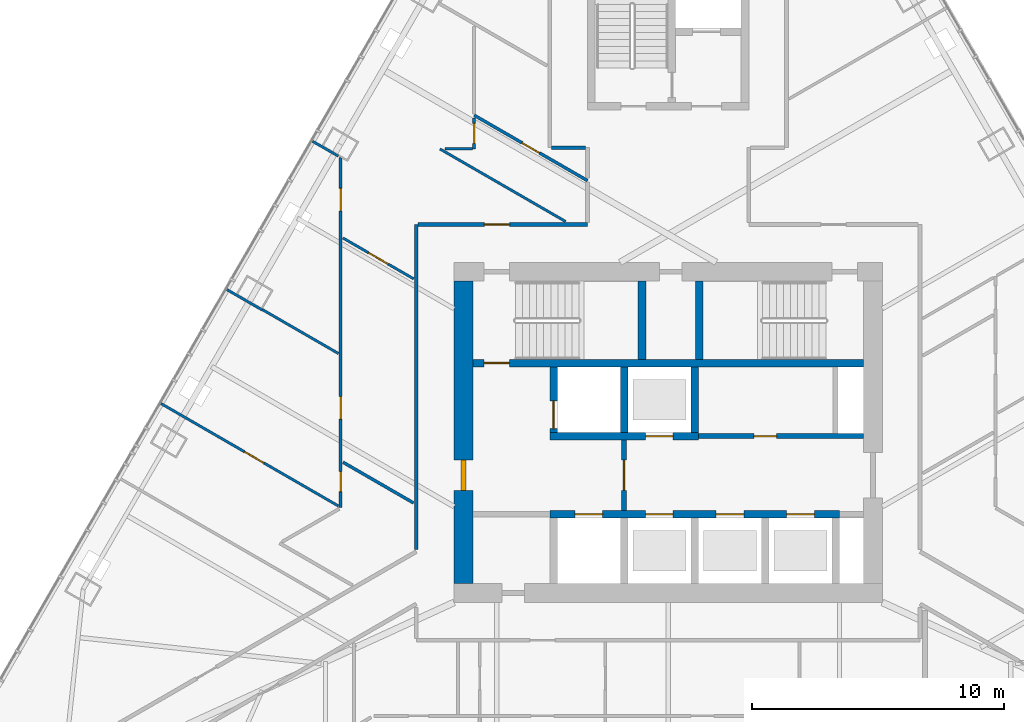
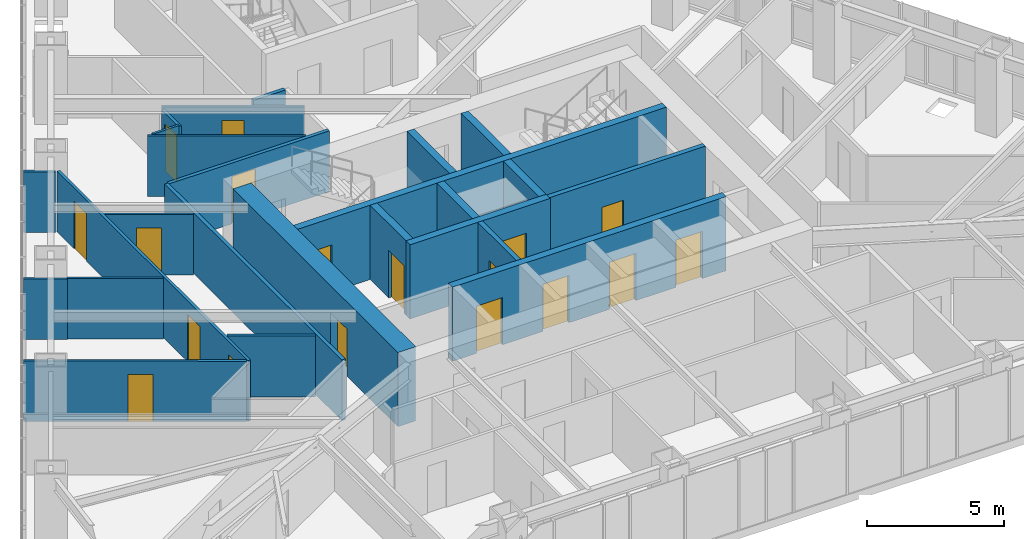
# One storey, part 14 of 19: 25 walls, 18 doors, 18 openings.
"""IFC4 building model written with IfcOpenShell, lengths in metres."""

from ifc_helpers import new_model, si_unit, direction, frame, frame_2d, origin, place, context, subcontext, project, spatial, rectangle, extrude, material, layer, layer_set, type_object, element, fill, save


model = new_model("IFC4")

# Units and contexts
model_context = context("Model", 3, precision=1e-05, world=origin(), true_north=direction((0.0, 1.0)))
body_context = subcontext(model_context, "Body", "Model", "MODEL_VIEW")
ifc_project = project(units=[si_unit("LENGTHUNIT", "METRE"), si_unit("AREAUNIT", "SQUARE_METRE"), si_unit("VOLUMEUNIT", "CUBIC_METRE"), si_unit("PLANEANGLEUNIT", "RADIAN"), si_unit("MASSUNIT", "GRAM", prefix="KILO")], contexts=[model_context])

# Site, building, storey
site_placement = place(None, origin())
site = spatial("IfcSite", under=ifc_project, at=site_placement, CompositionType="ELEMENT")
building_placement = place(site_placement, origin())
building = spatial("IfcBuilding", under=site, at=building_placement, Name="Firuza Gate Tower and Library", CompositionType="ELEMENT")
storey_placement = place(building_placement, frame((0.0, 0.0, 256.60009765625)))
storey = spatial("IfcBuildingStorey", under=building, at=storey_placement, Name="L60", CompositionType="ELEMENT", Elevation=256.60009765625)

# Wall, opening, door
ifc_material_1 = material(Name="Plasterboard on steel studs", Category="steel")
ifc_layer_1 = layer(ifc_material_1, 0.199951171875)
ifc_layer_set_1 = layer_set([ifc_layer_1], Name="Core partition 200 EI 120")
wall_type_1 = type_object("IfcWallType", Name="Core partition 200 EI 120", PredefinedType="PARTITIONING", material=ifc_layer_set_1)
wall_1_placement = place(storey_placement, frame((76.199951171875, 74.85009765625, 0.0), z_axis=(0.0, 0.0, 1.0), x_axis=(1.0, 0.0, 0.0)))
wall_1 = element("IfcWall", 1, at=wall_1_placement, inside=storey, type_object=wall_type_1, Name="Core partition L60 3", PredefinedType="PARTITIONING", context=body_context, shape_type="SweptSolid", body=[
    extrude(rectangle(XDim=6.550048828125, YDim=0.199951171875, at=frame_2d((3.27490234375, 0.0))), origin(), (0.0, 0.0, 1.0), 3.2998046875),
])
opening_1_placement = place(wall_1_placement, frame((2.199951171875, 0.0, 0.0)))
opening_1 = element("IfcOpeningElement", 2, at=opening_1_placement, cuts=wall_1, Name="Opening L60-K18", PredefinedType="OPENING", context=body_context, shape_type="SweptSolid", body=[
    extrude(rectangle(XDim=0.89990234375, YDim=2.10009765625, at=frame_2d((0.449951171875, 1.050048828125))), frame((0.0, 0.10986328125, 0.0), z_axis=(0.0, -1.0, 0.0), x_axis=(1.0, 0.0, 0.0)), (0.0, 0.0, 1.0), 0.219970703125),
])
ifc_material_2 = material(Name="Steel", Category="steel")
door_type_1 = type_object("IfcDoorType", Name="Fire door 900x2100 FD30S", OperationType="NOTDEFINED", PredefinedType="DOOR", material=ifc_material_2)
door_1_placement = place(opening_1_placement, origin())
door_1 = element("IfcDoor", 3, at=door_1_placement, inside=storey, type_object=door_type_1, Name="Door L60-K18", OperationType="SINGLE_SWING_LEFT", OverallHeight=2.10009765625, OverallWidth=0.89990234375, PredefinedType="DOOR", context=body_context, shape_type="SweptSolid", body=[
    extrude(rectangle(XDim=0.89990234375, YDim=2.10009765625, at=frame_2d((0.449951171875, 1.050048828125))), frame((0.0, 0.02490234375, 0.0), z_axis=(0.0, -1.0, 0.0), x_axis=(1.0, 0.0, 0.0)), (0.0, 0.0, 1.0), 0.050048828125),
])
fill(opening_1, door_1)

ifc_material_3 = material(Name="Plasterboard on steel studs", Category="steel")
ifc_layer_2 = layer(ifc_material_3, 0.199951171875)
ifc_layer_set_2 = layer_set([ifc_layer_2], Name="Core partition 200 EI 60")
wall_type_2 = type_object("IfcWallType", Name="Core partition 200 EI 60", PredefinedType="PARTITIONING", material=ifc_layer_set_2)
wall_2_placement = place(storey_placement, frame((73.25, 71.89990234375, 0.0), z_axis=(0.0, 0.0, 1.0), x_axis=(0.0, 1.0, 0.0)))
wall_2 = element("IfcWall", 4, at=wall_2_placement, inside=storey, type_object=wall_type_2, Name="Core partition L60 4", PredefinedType="PARTITIONING", context=body_context, shape_type="SweptSolid", body=[
    extrude(rectangle(XDim=2.800048828125, YDim=0.199951171875, at=frame_2d((1.39990234375, 0.0))), origin(), (0.0, 0.0, 1.0), 3.2998046875),
])
opening_2_placement = place(wall_2_placement, frame((0.800048828125, 0.0, 0.0)))
opening_2 = element("IfcOpeningElement", 5, at=opening_2_placement, cuts=wall_2, Name="Opening L60-K14", PredefinedType="OPENING", context=body_context, shape_type="SweptSolid", body=[
    extrude(rectangle(XDim=1.199951171875, YDim=2.10009765625, at=frame_2d((0.60009765625, 1.050048828125))), frame((0.0, 0.10986328125, 0.0), z_axis=(0.0, -1.0, 0.0), x_axis=(1.0, 0.0, 0.0)), (0.0, 0.0, 1.0), 0.219970703125),
])
ifc_material_4 = material(Name="Steel", Category="steel")
door_type_2 = type_object("IfcDoorType", Name="Fire door 1200x2100 FD90S", OperationType="NOTDEFINED", PredefinedType="DOOR", material=ifc_material_4)
door_2_placement = place(opening_2_placement, origin())
door_2 = element("IfcDoor", 6, at=door_2_placement, inside=storey, type_object=door_type_2, Name="Door L60-K14", OperationType="SINGLE_SWING_LEFT", OverallHeight=2.10009765625, OverallWidth=1.199951171875, PredefinedType="DOOR", context=body_context, shape_type="SweptSolid", body=[
    extrude(rectangle(XDim=1.199951171875, YDim=2.10009765625, at=frame_2d((0.60009765625, 1.050048828125))), frame((0.0, 0.02490234375, 0.0), z_axis=(0.0, -1.0, 0.0), x_axis=(1.0, 0.0, 0.0)), (0.0, 0.0, 1.0), 0.050048828125),
])
fill(opening_2, door_2)

# Wall, openings, doors
ifc_material_5 = material(Name="Concrete C60/75", Category="concrete")
ifc_layer_3 = layer(ifc_material_5, 0.300048828125)
ifc_layer_set_3 = layer_set([ifc_layer_3], Name="Core wall 300 C60/75")
wall_type_3 = type_object("IfcWallType", Name="Core wall 300 C60/75", PredefinedType="SHEAR", material=ifc_layer_set_3)
wall_3_placement = place(storey_placement, frame((70.300048828125, 71.75, 0.0), z_axis=(0.0, 0.0, 1.0), x_axis=(1.0, 0.0, 0.0)))
wall_3 = element("IfcWall", 7, at=wall_3_placement, inside=storey, type_object=wall_type_3, Name="Core wall L60 5", PredefinedType="SHEAR", context=body_context, shape_type="SweptSolid", body=[
    extrude(rectangle(XDim=11.5, YDim=0.300048828125, at=frame_2d((5.75, 0.0))), origin(), (0.0, 0.0, 1.0), 3.2998046875),
])
opening_3_placement = place(wall_3_placement, frame((1.0, 0.0, 0.0)))
opening_3 = element("IfcOpeningElement", 8, at=opening_3_placement, cuts=wall_3, Name="Opening LD-FF1-L60", PredefinedType="OPENING", context=body_context, shape_type="SweptSolid", body=[
    extrude(rectangle(XDim=1.10009765625, YDim=2.10009765625, at=frame_2d((0.550048828125, 1.050048828125))), frame((0.0, 0.16015625, 0.0), z_axis=(0.0, -1.0, 0.0), x_axis=(1.0, 0.0, 0.0)), (0.0, 0.0, 1.0), 0.320068359375),
])
opening_4_placement = place(wall_3_placement, frame((3.800048828125, 0.0, 0.0)))
opening_4 = element("IfcOpeningElement", 9, at=opening_4_placement, cuts=wall_3, Name="Opening LD-HR1-L60", PredefinedType="OPENING", context=body_context, shape_type="SweptSolid", body=[
    extrude(rectangle(XDim=1.10009765625, YDim=2.10009765625, at=frame_2d((0.550048828125, 1.050048828125))), frame((0.0, 0.16015625, 0.0), z_axis=(0.0, -1.0, 0.0), x_axis=(1.0, 0.0, 0.0)), (0.0, 0.0, 1.0), 0.320068359375),
])
opening_5_placement = place(wall_3_placement, frame((6.60009765625, 0.0, 0.0)))
opening_5 = element("IfcOpeningElement", 10, at=opening_5_placement, cuts=wall_3, Name="Opening LD-HR2-L60", PredefinedType="OPENING", context=body_context, shape_type="SweptSolid", body=[
    extrude(rectangle(XDim=1.10009765625, YDim=2.10009765625, at=frame_2d((0.550048828125, 1.050048828125))), frame((0.0, 0.16015625, 0.0), z_axis=(0.0, -1.0, 0.0), x_axis=(1.0, 0.0, 0.0)), (0.0, 0.0, 1.0), 0.320068359375),
])
opening_6_placement = place(wall_3_placement, frame((9.39990234375, 0.0, 0.0)))
opening_6 = element("IfcOpeningElement", 11, at=opening_6_placement, cuts=wall_3, Name="Opening LD-HR3-L60", PredefinedType="OPENING", context=body_context, shape_type="SweptSolid", body=[
    extrude(rectangle(XDim=1.10009765625, YDim=2.10009765625, at=frame_2d((0.550048828125, 1.050048828125))), frame((0.0, 0.16015625, 0.0), z_axis=(0.0, -1.0, 0.0), x_axis=(1.0, 0.0, 0.0)), (0.0, 0.0, 1.0), 0.320068359375),
])
ifc_material_6 = material(Name="Stainless steel", Category="steel")
door_type_3 = type_object("IfcDoorType", Name="Lift landing door 1100x2100", OperationType="DOUBLE_DOOR_SLIDING", PredefinedType="DOOR", material=ifc_material_6)
door_3_placement = place(opening_3_placement, origin())
door_3 = element("IfcDoor", 12, at=door_3_placement, inside=storey, type_object=door_type_3, Name="Landing door FF1 L60", OperationType="DOUBLE_DOOR_SLIDING", OverallHeight=2.10009765625, OverallWidth=1.10009765625, PredefinedType="DOOR", context=body_context, shape_type="SweptSolid", body=[
    extrude(rectangle(XDim=1.10009765625, YDim=2.10009765625, at=frame_2d((0.550048828125, 1.050048828125))), frame((0.0, 0.02490234375, 0.0), z_axis=(0.0, -1.0, 0.0), x_axis=(1.0, 0.0, 0.0)), (0.0, 0.0, 1.0), 0.050048828125),
])
fill(opening_3, door_3)
door_4_placement = place(opening_4_placement, origin())
door_4 = element("IfcDoor", 13, at=door_4_placement, inside=storey, type_object=door_type_3, Name="Landing door HR1 L60", OperationType="DOUBLE_DOOR_SLIDING", OverallHeight=2.10009765625, OverallWidth=1.10009765625, PredefinedType="DOOR", context=body_context, shape_type="SweptSolid", body=[
    extrude(rectangle(XDim=1.10009765625, YDim=2.10009765625, at=frame_2d((0.550048828125, 1.050048828125))), frame((0.0, 0.02490234375, 0.0), z_axis=(0.0, -1.0, 0.0), x_axis=(1.0, 0.0, 0.0)), (0.0, 0.0, 1.0), 0.050048828125),
])
fill(opening_4, door_4)
door_5_placement = place(opening_5_placement, origin())
door_5 = element("IfcDoor", 14, at=door_5_placement, inside=storey, type_object=door_type_3, Name="Landing door HR2 L60", OperationType="DOUBLE_DOOR_SLIDING", OverallHeight=2.10009765625, OverallWidth=1.10009765625, PredefinedType="DOOR", context=body_context, shape_type="SweptSolid", body=[
    extrude(rectangle(XDim=1.10009765625, YDim=2.10009765625, at=frame_2d((0.550048828125, 1.050048828125))), frame((0.0, 0.02490234375, 0.0), z_axis=(0.0, -1.0, 0.0), x_axis=(1.0, 0.0, 0.0)), (0.0, 0.0, 1.0), 0.050048828125),
])
fill(opening_5, door_5)
door_6_placement = place(opening_6_placement, origin())
door_6 = element("IfcDoor", 15, at=door_6_placement, inside=storey, type_object=door_type_3, Name="Landing door HR3 L60", OperationType="DOUBLE_DOOR_SLIDING", OverallHeight=2.10009765625, OverallWidth=1.10009765625, PredefinedType="DOOR", context=body_context, shape_type="SweptSolid", body=[
    extrude(rectangle(XDim=1.10009765625, YDim=2.10009765625, at=frame_2d((0.550048828125, 1.050048828125))), frame((0.0, 0.02490234375, 0.0), z_axis=(0.0, -1.0, 0.0), x_axis=(1.0, 0.0, 0.0)), (0.0, 0.0, 1.0), 0.050048828125),
])
fill(opening_6, door_6)

# Wall, opening, door
wall_4_placement = place(storey_placement, frame((70.300048828125, 74.85009765625, 0.0), z_axis=(0.0, 0.0, 1.0), x_axis=(1.0, 0.0, 0.0)))
wall_4 = element("IfcWall", 16, at=wall_4_placement, inside=storey, type_object=wall_type_3, Name="Core wall L60 6", PredefinedType="SHEAR", context=body_context, shape_type="SweptSolid", body=[
    extrude(rectangle(XDim=5.89990234375, YDim=0.300048828125, at=frame_2d((2.949951171875, 0.0))), origin(), (0.0, 0.0, 1.0), 3.2998046875),
])
opening_7_placement = place(wall_4_placement, frame((3.800048828125, 0.0, 0.0)))
opening_7 = element("IfcOpeningElement", 17, at=opening_7_placement, cuts=wall_4, Name="Opening LD-HR4-L60", PredefinedType="OPENING", context=body_context, shape_type="SweptSolid", body=[
    extrude(rectangle(XDim=1.10009765625, YDim=2.10009765625, at=frame_2d((0.550048828125, 1.050048828125))), frame((0.0, 0.16015625, 0.0), z_axis=(0.0, -1.0, 0.0), x_axis=(1.0, 0.0, 0.0)), (0.0, 0.0, 1.0), 0.320068359375),
])
door_7_placement = place(opening_7_placement, origin())
door_7 = element("IfcDoor", 18, at=door_7_placement, inside=storey, type_object=door_type_3, Name="Landing door HR4 L60", OperationType="DOUBLE_DOOR_SLIDING", OverallHeight=2.10009765625, OverallWidth=1.10009765625, PredefinedType="DOOR", context=body_context, shape_type="SweptSolid", body=[
    extrude(rectangle(XDim=1.10009765625, YDim=2.10009765625, at=frame_2d((0.550048828125, 1.050048828125))), frame((0.0, 0.02490234375, 0.0), z_axis=(0.0, -1.0, 0.0), x_axis=(1.0, 0.0, 0.0)), (0.0, 0.0, 1.0), 0.050048828125),
])
fill(opening_7, door_7)

wall_5_placement = place(storey_placement, frame((70.449951171875, 75.0, 0.0), z_axis=(0.0, 0.0, 1.0), x_axis=(0.0, 1.0, 0.0)))
wall_5 = element("IfcWall", 19, at=wall_5_placement, inside=storey, type_object=wall_type_3, Name="Core wall L60 8", PredefinedType="SHEAR", context=body_context, shape_type="SweptSolid", body=[
    extrude(rectangle(XDim=2.60009765625, YDim=0.300048828125, at=frame_2d((1.300048828125, 0.0))), origin(), (0.0, 0.0, 1.0), 3.2998046875),
])
opening_8_placement = place(wall_5_placement, frame((0.14990234375, 0.0, 0.0)))
opening_8 = element("IfcOpeningElement", 20, at=opening_8_placement, cuts=wall_5, Name="Opening LD-FF2-L60", PredefinedType="OPENING", context=body_context, shape_type="SweptSolid", body=[
    extrude(rectangle(XDim=1.10009765625, YDim=2.10009765625, at=frame_2d((0.550048828125, 1.050048828125))), frame((0.0, 0.16015625, 0.0), z_axis=(0.0, -1.0, 0.0), x_axis=(1.0, 0.0, 0.0)), (0.0, 0.0, 1.0), 0.320068359375),
])
door_8_placement = place(opening_8_placement, origin())
door_8 = element("IfcDoor", 21, at=door_8_placement, inside=storey, type_object=door_type_3, Name="Landing door FF2 L60", OperationType="DOUBLE_DOOR_SLIDING", OverallHeight=2.10009765625, OverallWidth=1.10009765625, PredefinedType="DOOR", context=body_context, shape_type="SweptSolid", body=[
    extrude(rectangle(XDim=1.10009765625, YDim=2.10009765625, at=frame_2d((0.550048828125, 1.050048828125))), frame((0.0, 0.02490234375, 0.0), z_axis=(0.0, -1.0, 0.0), x_axis=(1.0, 0.0, 0.0)), (0.0, 0.0, 1.0), 0.050048828125),
])
fill(opening_8, door_8)

# Walls
for number, where, z_axis, x_axis, name in (
    (22, (73.25, 75.0, 0.0), (0.0, 0.0, 1.0), (0.0, 1.0, 0.0), "Core wall L60 10"),
    (23, (76.050048828125, 75.0, 0.0), (0.0, 0.0, 1.0), (0.0, 1.0, 0.0), "Core wall L60 12"),
):
    element("IfcWall", number, at=place(storey_placement, frame(where, z_axis=z_axis, x_axis=x_axis)), inside=storey, type_object=wall_type_3, Name=name, PredefinedType="SHEAR", context=body_context, shape_type="SweptSolid", body=[
        extrude(rectangle(XDim=2.60009765625, YDim=0.300048828125, at=frame_2d((1.300048828125, 0.0))), origin(), (0.0, 0.0, 1.0), 3.2998046875),
    ])

# Wall, opening, door
wall_6_placement = place(storey_placement, frame((67.25, 77.75, 0.0), z_axis=(0.0, 0.0, 1.0), x_axis=(1.0, 0.0, 0.0)))
wall_6 = element("IfcWall", 24, at=wall_6_placement, inside=storey, type_object=wall_type_3, Name="Core wall L60 15", PredefinedType="SHEAR", context=body_context, shape_type="SweptSolid", body=[
    extrude(rectangle(XDim=15.5, YDim=0.300048828125, at=frame_2d((7.75, 0.0))), origin(), (0.0, 0.0, 1.0), 3.2998046875),
])
opening_9_placement = place(wall_6_placement, frame((0.445068359375, 0.0, 0.0)))
opening_9 = element("IfcOpeningElement", 25, at=opening_9_placement, cuts=wall_6, Name="Opening L60-K08", PredefinedType="OPENING", context=body_context, shape_type="SweptSolid", body=[
    extrude(rectangle(XDim=1.0, YDim=2.10009765625, at=frame_2d((0.5, 1.050048828125))), frame((0.0, 0.16015625, 0.0), z_axis=(0.0, -1.0, 0.0), x_axis=(1.0, 0.0, 0.0)), (0.0, 0.0, 1.0), 0.320068359375),
])
ifc_material_7 = material(Name="Steel", Category="steel")
door_type_4 = type_object("IfcDoorType", Name="Fire door 1000x2100 FD90", OperationType="NOTDEFINED", PredefinedType="DOOR", material=ifc_material_7)
door_9_placement = place(opening_9_placement, origin())
door_9 = element("IfcDoor", 26, at=door_9_placement, inside=storey, type_object=door_type_4, Name="Door L60-K08", OperationType="SINGLE_SWING_LEFT", OverallHeight=2.10009765625, OverallWidth=1.0, PredefinedType="DOOR", context=body_context, shape_type="SweptSolid", body=[
    extrude(rectangle(XDim=1.0, YDim=2.10009765625, at=frame_2d((0.5, 1.050048828125))), frame((0.0, 0.02490234375, 0.0), z_axis=(0.0, -1.0, 0.0), x_axis=(1.0, 0.0, 0.0)), (0.0, 0.0, 1.0), 0.050048828125),
])
fill(opening_9, door_9)

# Walls
for number, where, z_axis, x_axis, name in (
    (27, (73.9599609375, 77.89990234375, 0.0), (0.0, 0.0, 1.0), (0.0, 1.0, 0.0), "Core wall L60 16"),
    (28, (76.239990234375, 77.89990234375, 0.0), (0.0, 0.0, 1.0), (0.0, 1.0, 0.0), "Core wall L60 17"),
):
    element("IfcWall", number, at=place(storey_placement, frame(where, z_axis=z_axis, x_axis=x_axis)), inside=storey, type_object=wall_type_3, Name=name, PredefinedType="SHEAR", context=body_context, shape_type="SweptSolid", body=[
        extrude(rectangle(XDim=3.10009765625, YDim=0.300048828125, at=frame_2d((1.550048828125, 0.0))), origin(), (0.0, 0.0, 1.0), 3.2998046875),
    ])

# Wall, opening, door
ifc_material_8 = material(Name="Concrete C60/75", Category="concrete")
ifc_layer_4 = layer(ifc_material_8, 0.75)
ifc_layer_set_4 = layer_set([ifc_layer_4], Name="Core wall 750 C60/75")
wall_type_4 = type_object("IfcWallType", Name="Core wall 750 C60/75", PredefinedType="SHEAR", material=ifc_layer_set_4)
wall_7_placement = place(storey_placement, frame((66.875, 69.0, 0.0), z_axis=(0.0, 0.0, 1.0), x_axis=(0.0, 1.0, 0.0)))
wall_7 = element("IfcWall", 29, at=wall_7_placement, inside=storey, type_object=wall_type_4, Name="Core wall L60 3", PredefinedType="SHEAR", context=body_context, shape_type="SweptSolid", body=[
    extrude(rectangle(XDim=12.0, YDim=0.75, at=frame_2d((6.0, 0.0))), origin(), (0.0, 0.0, 1.0), 3.2998046875),
])
opening_10_placement = place(wall_7_placement, frame((3.699951171875, 0.0, 0.0)))
opening_10 = element("IfcOpeningElement", 30, at=opening_10_placement, cuts=wall_7, Name="Opening L60-K15", PredefinedType="OPENING", context=body_context, shape_type="SweptSolid", body=[
    extrude(rectangle(XDim=1.199951171875, YDim=2.10009765625, at=frame_2d((0.60009765625, 1.050048828125))), frame((0.0, 0.385009765625, 0.0), z_axis=(0.0, -1.0, 0.0), x_axis=(1.0, 0.0, 0.0)), (0.0, 0.0, 1.0), 0.77001953125),
])
door_10_placement = place(opening_10_placement, origin())
door_10 = element("IfcDoor", 31, at=door_10_placement, inside=storey, type_object=door_type_2, Name="Door L60-K15", OperationType="SINGLE_SWING_RIGHT", OverallHeight=2.10009765625, OverallWidth=1.199951171875, PredefinedType="DOOR", context=body_context, shape_type="SweptSolid", body=[
    extrude(rectangle(XDim=1.199951171875, YDim=2.10009765625, at=frame_2d((0.60009765625, 1.050048828125))), frame((0.0, 0.094970703125, 0.0), z_axis=(0.0, -1.0, 0.0), x_axis=(1.0, 0.0, 0.0)), (0.0, 0.0, 1.0), 0.18994140625),
])
fill(opening_10, door_10)

ifc_material_9 = material(Name="Gypsum board partition")
ifc_layer_5 = layer(ifc_material_9, 0.14990234375)
ifc_layer_set_5 = layer_set([ifc_layer_5], Name="Corridor wall 150 double board on steel studs")
wall_type_5 = type_object("IfcWallType", Name="Corridor wall 150 double board on steel studs", PredefinedType="PARTITIONING", material=ifc_layer_set_5)
wall_8_placement = place(storey_placement, frame((65.075439453125, 83.25, 0.0), z_axis=(0.0, 0.0, 1.0), x_axis=(1.0, 0.0, 0.0)))
wall_8 = element("IfcWall", 32, at=wall_8_placement, inside=storey, type_object=wall_type_5, Name="f:L60:w004", PredefinedType="PARTITIONING", context=body_context, shape_type="SweptSolid", body=[
    extrude(rectangle(XDim=6.724609375, YDim=0.14990234375, at=frame_2d((3.3623046875, 0.0))), origin(), (0.0, 0.0, 1.0), 2.699951171875),
])
opening_11_placement = place(wall_8_placement, frame((2.63232421875, 0.0, 0.0)))
opening_11 = element("IfcOpeningElement", 33, at=opening_11_placement, cuts=wall_8, Name="Opening L60-07", PredefinedType="OPENING", context=body_context, shape_type="SweptSolid", body=[
    extrude(rectangle(XDim=1.0, YDim=2.10009765625, at=frame_2d((0.5, 1.050048828125))), frame((0.0, 0.0849609375, 0.0), z_axis=(0.0, -1.0, 0.0), x_axis=(1.0, 0.0, 0.0)), (0.0, 0.0, 1.0), 0.169921875),
])
ifc_material_10 = material(Name="Steel door and timber leaf", Category="steel")
door_type_5 = type_object("IfcDoorType", Name="Fire door 1000 x 2100 steel frame, timber leaf", OperationType="NOTDEFINED", PredefinedType="DOOR", material=ifc_material_10)
door_11_placement = place(opening_11_placement, origin())
door_11 = element("IfcDoor", 34, at=door_11_placement, inside=storey, type_object=door_type_5, Name="f:L60:d007", OperationType="SINGLE_SWING_LEFT", OverallHeight=2.10009765625, OverallWidth=1.0, PredefinedType="DOOR", context=body_context, shape_type="SweptSolid", body=[
    extrude(rectangle(XDim=1.0, YDim=2.10009765625, at=frame_2d((0.5, 1.050048828125))), frame((0.0, 0.02490234375, 0.0), z_axis=(0.0, -1.0, 0.0), x_axis=(1.0, 0.0, 0.0)), (0.0, 0.0, 1.0), 0.050048828125),
])
fill(opening_11, door_11)

# Walls
wall_9_placement = place(storey_placement, frame((70.375, 86.300048828125, 0.0), z_axis=(0.0, 0.0, 1.0), x_axis=(1.0, 0.0, 0.0)))
element("IfcWall", 35, at=wall_9_placement, inside=storey, type_object=wall_type_5, Name="f:L60:w007", PredefinedType="PARTITIONING", context=body_context, shape_type="SweptSolid", body=[
    extrude(rectangle(XDim=1.35009765625, YDim=0.14990234375, at=frame_2d((0.675048828125, 0.0))), origin(), (0.0, 0.0, 1.0), 2.699951171875),
])
wall_10_placement = place(storey_placement, frame((65.0, 70.352294921875, 0.0), z_axis=(0.0, 0.0, 1.0), x_axis=(0.0, 1.0, 0.0)))
element("IfcWall", 36, at=wall_10_placement, inside=storey, type_object=wall_type_5, Name="f:L60:w057", PredefinedType="PARTITIONING", context=body_context, shape_type="SweptSolid", body=[
    extrude(rectangle(XDim=12.897216796875, YDim=0.14990234375, at=frame_2d((6.44873046875, 0.0))), origin(), (0.0, 0.0, 1.0), 2.699951171875),
])
ifc_material_11 = material(Name="Gypsum board partition")
ifc_layer_6 = layer(ifc_material_11, 0.10009765625)
ifc_layer_set_6 = layer_set([ifc_layer_6], Name="Partition 100 gypsum board on steel studs")
wall_type_6 = type_object("IfcWallType", Name="Partition 100 gypsum board on steel studs", PredefinedType="PARTITIONING", material=ifc_layer_set_6)
wall_11_placement = place(storey_placement, frame((66.133056640625, 86.25, 0.0), z_axis=(0.0, 0.0, 1.0), x_axis=(1.0, 0.0, 0.0)))
element("IfcWall", 37, at=wall_11_placement, inside=storey, type_object=wall_type_6, Name="f:L60:w006", PredefinedType="PARTITIONING", context=body_context, shape_type="SweptSolid", body=[
    extrude(rectangle(XDim=1.1064453125, YDim=0.10009765625, at=frame_2d((0.55322265625, 0.0))), origin(), (0.0, 0.0, 1.0), 2.699951171875),
])
wall_12_placement = place(storey_placement, frame((70.92919921875, 83.369873046875, 0.0), z_axis=(0.0, 0.0, 1.0), x_axis=(-0.866032366698, 0.499987939687, 0.0)))
element("IfcWall", 38, at=wall_12_placement, inside=storey, type_object=wall_type_6, Name="f:L60:w067", PredefinedType="PARTITIONING", context=body_context, shape_type="SweptSolid", body=[
    extrude(rectangle(XDim=5.758056640625, YDim=0.10009765625, at=frame_2d((2.87890625, 0.0))), origin(), (0.0, 0.0, 1.0), 2.699951171875),
])
wall_13_placement = place(storey_placement, frame((61.901123046875, 85.96923828125, 0.0), z_axis=(0.0, 0.0, 1.0), x_axis=(-0.866102146699, 0.499867053809, 0.0)))
element("IfcWall", 39, at=wall_13_placement, inside=storey, type_object=wall_type_6, Name="f:L60:w069", PredefinedType="PARTITIONING", context=body_context, shape_type="SweptSolid", body=[
    extrude(rectangle(XDim=1.169189453125, YDim=0.10009765625, at=frame_2d((0.58447265625, 0.0))), origin(), (0.0, 0.0, 1.0), 2.68798828125),
])

# Wall, opening, door
wall_14_placement = place(storey_placement, frame((64.899169921875, 81.093994140625, 0.0), z_axis=(0.0, 0.0, 1.0), x_axis=(-0.866032882975, 0.499987045439, 0.0)))
wall_14 = element("IfcWall", 40, at=wall_14_placement, inside=storey, type_object=wall_type_6, Name="f:L60:w072", PredefinedType="PARTITIONING", context=body_context, shape_type="SweptSolid", body=[
    extrude(rectangle(XDim=3.248046875, YDim=0.10009765625, at=frame_2d((1.6240234375, 0.0))), origin(), (0.0, 0.0, 1.0), 2.699951171875),
])
opening_12_placement = place(wall_14_placement, frame((1.174072265625, 0.0, 0.0)))
opening_12 = element("IfcOpeningElement", 41, at=opening_12_placement, cuts=wall_14, Name="Opening L60-33", PredefinedType="OPENING", context=body_context, shape_type="SweptSolid", body=[
    extrude(rectangle(XDim=0.89990234375, YDim=2.10009765625, at=frame_2d((0.449951171875, 1.050048828125))), frame((0.0, 0.06005859375, 0.0), z_axis=(0.0, -1.0, 0.0), x_axis=(1.0, 0.0, 0.0)), (0.0, 0.0, 1.0), 0.1201171875),
])
ifc_material_12 = material(Name="Timber door", Category="wood")
door_type_6 = type_object("IfcDoorType", Name="Door 900 x 2100 timber leaf", OperationType="NOTDEFINED", PredefinedType="DOOR", material=ifc_material_12)
door_12_placement = place(opening_12_placement, origin())
door_12 = element("IfcDoor", 42, at=door_12_placement, inside=storey, type_object=door_type_6, Name="f:L60:d033", OperationType="SINGLE_SWING_RIGHT", OverallHeight=2.10009765625, OverallWidth=0.89990234375, PredefinedType="DOOR", context=body_context, shape_type="SweptSolid", body=[
    extrude(rectangle(XDim=0.89990234375, YDim=2.10009765625, at=frame_2d((0.449951171875, 1.050048828125))), frame((0.0, 0.02490234375, 0.0), z_axis=(0.0, -1.0, 0.0), x_axis=(1.0, 0.0, 0.0)), (0.0, 0.0, 1.0), 0.050048828125),
])
fill(opening_12, door_12)

# Walls
wall_15_placement = place(storey_placement, frame((61.914306640625, 78.129150390625, 0.0), z_axis=(0.0, 0.0, 1.0), x_axis=(-0.866011380966, 0.500024287448, 0.0)))
element("IfcWall", 43, at=wall_15_placement, inside=storey, type_object=wall_type_6, Name="f:L60:w076", PredefinedType="PARTITIONING", context=body_context, shape_type="SweptSolid", body=[
    extrude(rectangle(XDim=3.500732421875, YDim=0.10009765625, at=frame_2d((1.75048828125, 0.0))), origin(), (0.0, 0.0, 1.0), 2.699951171875),
])
wall_16_placement = place(storey_placement, frame((58.8740234375, 79.86474609375, 0.0), z_axis=(0.0, 0.0, 1.0), x_axis=(-0.865989903783, 0.500061482766, 0.0)))
element("IfcWall", 44, at=wall_16_placement, inside=storey, type_object=wall_type_6, Name="f:L60:w077", PredefinedType="PARTITIONING", context=body_context, shape_type="SweptSolid", body=[
    extrude(rectangle(XDim=1.599853515625, YDim=0.10009765625, at=frame_2d((0.7998046875, 0.0))), origin(), (0.0, 0.0, 1.0), 2.68798828125),
])

# Wall, opening, door
wall_17_placement = place(storey_placement, frame((61.9140625, 72.076416015625, 0.0), z_axis=(0.0, 0.0, 1.0), x_axis=(-0.866023498866, 0.500003299401, 0.0)))
wall_17 = element("IfcWall", 45, at=wall_17_placement, inside=storey, type_object=wall_type_6, Name="f:L60:w080", PredefinedType="PARTITIONING", context=body_context, shape_type="SweptSolid", body=[
    extrude(rectangle(XDim=8.126953125, YDim=0.10009765625, at=frame_2d((4.0634765625, 0.0))), origin(), (0.0, 0.0, 1.0), 2.68798828125),
])
opening_13_placement = place(wall_17_placement, frame((3.413330078125, 0.0, 0.0)))
opening_13 = element("IfcOpeningElement", 46, at=opening_13_placement, cuts=wall_17, Name="Opening L60-36", PredefinedType="OPENING", context=body_context, shape_type="SweptSolid", body=[
    extrude(rectangle(XDim=0.89990234375, YDim=2.10009765625, at=frame_2d((0.449951171875, 1.050048828125))), frame((0.0, 0.06005859375, 0.0), z_axis=(0.0, -1.0, 0.0), x_axis=(1.0, 0.0, 0.0)), (0.0, 0.0, 1.0), 0.1201171875),
])
door_13_placement = place(opening_13_placement, origin())
door_13 = element("IfcDoor", 47, at=door_13_placement, inside=storey, type_object=door_type_6, Name="f:L60:d036", OperationType="SINGLE_SWING_RIGHT", OverallHeight=2.10009765625, OverallWidth=0.89990234375, PredefinedType="DOOR", context=body_context, shape_type="SweptSolid", body=[
    extrude(rectangle(XDim=0.89990234375, YDim=2.10009765625, at=frame_2d((0.449951171875, 1.050048828125))), frame((0.0, 0.02490234375, 0.0), z_axis=(0.0, -1.0, 0.0), x_axis=(1.0, 0.0, 0.0)), (0.0, 0.0, 1.0), 0.050048828125),
])
fill(opening_13, door_13)

ifc_material_13 = material(Name="Gypsum board partition")
ifc_layer_7 = layer(ifc_material_13, 0.1201171875)
ifc_layer_set_7 = layer_set([ifc_layer_7], Name="Wet-area partition 120 moisture-resistant board")
wall_type_7 = type_object("IfcWallType", Name="Wet-area partition 120 moisture-resistant board", PredefinedType="PARTITIONING", material=ifc_layer_set_7)
wall_18_placement = place(storey_placement, frame((67.300048828125, 87.484619140625, 0.0), z_axis=(0.0, 0.0, 1.0), x_axis=(0.0, -1.0, 0.0)))
wall_18 = element("IfcWall", 48, at=wall_18_placement, inside=storey, type_object=wall_type_7, Name="f:L60:w054", PredefinedType="PARTITIONING", context=body_context, shape_type="SweptSolid", body=[
    extrude(rectangle(XDim=1.234130859375, YDim=0.1201171875, at=frame_2d((0.6171875, 0.0))), origin(), (0.0, 0.0, 1.0), 2.621826171875),
])
opening_14_placement = place(wall_18_placement, frame((0.217041015625, 0.0, 0.0)))
opening_14 = element("IfcOpeningElement", 49, at=opening_14_placement, cuts=wall_18, Name="Opening L60-25", PredefinedType="OPENING", context=body_context, shape_type="SweptSolid", body=[
    extrude(rectangle(XDim=0.800048828125, YDim=2.10009765625, at=frame_2d((0.39990234375, 1.050048828125))), frame((0.0, 0.070068359375, 0.0), z_axis=(0.0, -1.0, 0.0), x_axis=(1.0, 0.0, 0.0)), (0.0, 0.0, 1.0), 0.14013671875),
])
ifc_material_14 = material(Name="Timber door", Category="wood")
door_type_7 = type_object("IfcDoorType", Name="Door 800 x 2100 timber leaf", OperationType="NOTDEFINED", PredefinedType="DOOR", material=ifc_material_14)
door_14_placement = place(opening_14_placement, origin())
door_14 = element("IfcDoor", 50, at=door_14_placement, inside=storey, type_object=door_type_7, Name="f:L60:d025", OperationType="SINGLE_SWING_LEFT", OverallHeight=2.10009765625, OverallWidth=0.800048828125, PredefinedType="DOOR", context=body_context, shape_type="SweptSolid", body=[
    extrude(rectangle(XDim=0.800048828125, YDim=2.10009765625, at=frame_2d((0.39990234375, 1.050048828125))), frame((0.0, 0.02490234375, 0.0), z_axis=(0.0, -1.0, 0.0), x_axis=(1.0, 0.0, 0.0)), (0.0, 0.0, 1.0), 0.050048828125),
])
fill(opening_14, door_14)

# Wall, openings, doors
wall_19_placement = place(storey_placement, frame((62.0, 85.91162109375, 0.0), z_axis=(0.0, 0.0, 1.0), x_axis=(0.0, -1.0, 0.0)))
wall_19 = element("IfcWall", 51, at=wall_19_placement, inside=storey, type_object=wall_type_7, Name="f:L60:w059", PredefinedType="PARTITIONING", context=body_context, shape_type="SweptSolid", body=[
    extrude(rectangle(XDim=13.887939453125, YDim=0.1201171875, at=frame_2d((6.94384765625, 0.0))), origin(), (0.0, 0.0, 1.0), 2.699951171875),
])
opening_15_placement = place(wall_19_placement, frame((1.223876953125, 0.0, 0.0)))
opening_15 = element("IfcOpeningElement", 52, at=opening_15_placement, cuts=wall_19, Name="Opening L60-26", PredefinedType="OPENING", context=body_context, shape_type="SweptSolid", body=[
    extrude(rectangle(XDim=0.89990234375, YDim=2.10009765625, at=frame_2d((0.449951171875, 1.050048828125))), frame((0.0, 0.070068359375, 0.0), z_axis=(0.0, -1.0, 0.0), x_axis=(1.0, 0.0, 0.0)), (0.0, 0.0, 1.0), 0.14013671875),
])
opening_16_placement = place(wall_19_placement, frame((9.489501953125, 0.0, 0.0)))
opening_16 = element("IfcOpeningElement", 53, at=opening_16_placement, cuts=wall_19, Name="Opening L60-27", PredefinedType="OPENING", context=body_context, shape_type="SweptSolid", body=[
    extrude(rectangle(XDim=0.89990234375, YDim=2.10009765625, at=frame_2d((0.449951171875, 1.050048828125))), frame((0.0, 0.070068359375, 0.0), z_axis=(0.0, -1.0, 0.0), x_axis=(1.0, 0.0, 0.0)), (0.0, 0.0, 1.0), 0.14013671875),
])
opening_17_placement = place(wall_19_placement, frame((12.465576171875, 0.0, 0.0)))
opening_17 = element("IfcOpeningElement", 54, at=opening_17_placement, cuts=wall_19, Name="Opening L60-28", PredefinedType="OPENING", context=body_context, shape_type="SweptSolid", body=[
    extrude(rectangle(XDim=0.800048828125, YDim=2.10009765625, at=frame_2d((0.39990234375, 1.050048828125))), frame((0.0, 0.070068359375, 0.0), z_axis=(0.0, -1.0, 0.0), x_axis=(1.0, 0.0, 0.0)), (0.0, 0.0, 1.0), 0.14013671875),
])
door_15_placement = place(opening_17_placement, origin())
door_15 = element("IfcDoor", 55, at=door_15_placement, inside=storey, type_object=door_type_7, Name="f:L60:d028", OperationType="SINGLE_SWING_RIGHT", OverallHeight=2.10009765625, OverallWidth=0.800048828125, PredefinedType="DOOR", context=body_context, shape_type="SweptSolid", body=[
    extrude(rectangle(XDim=0.800048828125, YDim=2.10009765625, at=frame_2d((0.39990234375, 1.050048828125))), frame((0.0, 0.02490234375, 0.0), z_axis=(0.0, -1.0, 0.0), x_axis=(1.0, 0.0, 0.0)), (0.0, 0.0, 1.0), 0.050048828125),
])
fill(opening_17, door_15)
door_16_placement = place(opening_15_placement, origin())
door_16 = element("IfcDoor", 56, at=door_16_placement, inside=storey, type_object=door_type_6, Name="f:L60:d026", OperationType="SINGLE_SWING_RIGHT", OverallHeight=2.10009765625, OverallWidth=0.89990234375, PredefinedType="DOOR", context=body_context, shape_type="SweptSolid", body=[
    extrude(rectangle(XDim=0.89990234375, YDim=2.10009765625, at=frame_2d((0.449951171875, 1.050048828125))), frame((0.0, 0.02490234375, 0.0), z_axis=(0.0, -1.0, 0.0), x_axis=(1.0, 0.0, 0.0)), (0.0, 0.0, 1.0), 0.050048828125),
])
fill(opening_15, door_16)
door_17_placement = place(opening_16_placement, origin())
door_17 = element("IfcDoor", 57, at=door_17_placement, inside=storey, type_object=door_type_6, Name="f:L60:d027", OperationType="SINGLE_SWING_RIGHT", OverallHeight=2.10009765625, OverallWidth=0.89990234375, PredefinedType="DOOR", context=body_context, shape_type="SweptSolid", body=[
    extrude(rectangle(XDim=0.89990234375, YDim=2.10009765625, at=frame_2d((0.449951171875, 1.050048828125))), frame((0.0, 0.02490234375, 0.0), z_axis=(0.0, -1.0, 0.0), x_axis=(1.0, 0.0, 0.0)), (0.0, 0.0, 1.0), 0.050048828125),
])
fill(opening_16, door_17)

# Wall, opening, door
wall_20_placement = place(storey_placement, frame((67.2998046875, 87.5888671875, 0.0), z_axis=(0.0, 0.0, 1.0), x_axis=(0.866019710441, -0.50000986103, 0.0)))
wall_20 = element("IfcWall", 58, at=wall_20_placement, inside=storey, type_object=wall_type_7, Name="f:L60:w066", PredefinedType="PARTITIONING", context=body_context, shape_type="SweptSolid", body=[
    extrude(rectangle(XDim=5.1962890625, YDim=0.1201171875, at=frame_2d((2.59814453125, 0.0))), origin(), (0.0, 0.0, 1.0), 2.699951171875),
])
opening_18_placement = place(wall_20_placement, frame((2.197998046875, 0.0, 0.0)))
opening_18 = element("IfcOpeningElement", 59, at=opening_18_placement, cuts=wall_20, Name="Opening L60-30", PredefinedType="OPENING", context=body_context, shape_type="SweptSolid", body=[
    extrude(rectangle(XDim=0.800048828125, YDim=2.10009765625, at=frame_2d((0.39990234375, 1.050048828125))), frame((0.0, 0.070068359375, 0.0), z_axis=(0.0, -1.0, 0.0), x_axis=(1.0, 0.0, 0.0)), (0.0, 0.0, 1.0), 0.14013671875),
])
door_18_placement = place(opening_18_placement, origin())
door_18 = element("IfcDoor", 60, at=door_18_placement, inside=storey, type_object=door_type_7, Name="f:L60:d030", OperationType="SINGLE_SWING_LEFT", OverallHeight=2.10009765625, OverallWidth=0.800048828125, PredefinedType="DOOR", context=body_context, shape_type="SweptSolid", body=[
    extrude(rectangle(XDim=0.800048828125, YDim=2.10009765625, at=frame_2d((0.39990234375, 1.050048828125))), frame((0.0, 0.02490234375, 0.0), z_axis=(0.0, -1.0, 0.0), x_axis=(1.0, 0.0, 0.0)), (0.0, 0.0, 1.0), 0.050048828125),
])
fill(opening_18, door_18)

# Wall
wall_21_placement = place(storey_placement, frame((64.890380859375, 72.19970703125, 0.0), z_axis=(0.0, 0.0, 1.0), x_axis=(-0.866033195618, 0.499986503906, 0.0)))
element("IfcWall", 61, at=wall_21_placement, inside=storey, type_object=wall_type_7, Name="f:L60:w079", PredefinedType="PARTITIONING", context=body_context, shape_type="SweptSolid", body=[
    extrude(rectangle(XDim=3.22802734375, YDim=0.1201171875, at=frame_2d((1.614013671875, 0.0))), origin(), (0.0, 0.0, 1.0), 2.699951171875),
])

save(model, "model.ifc")
